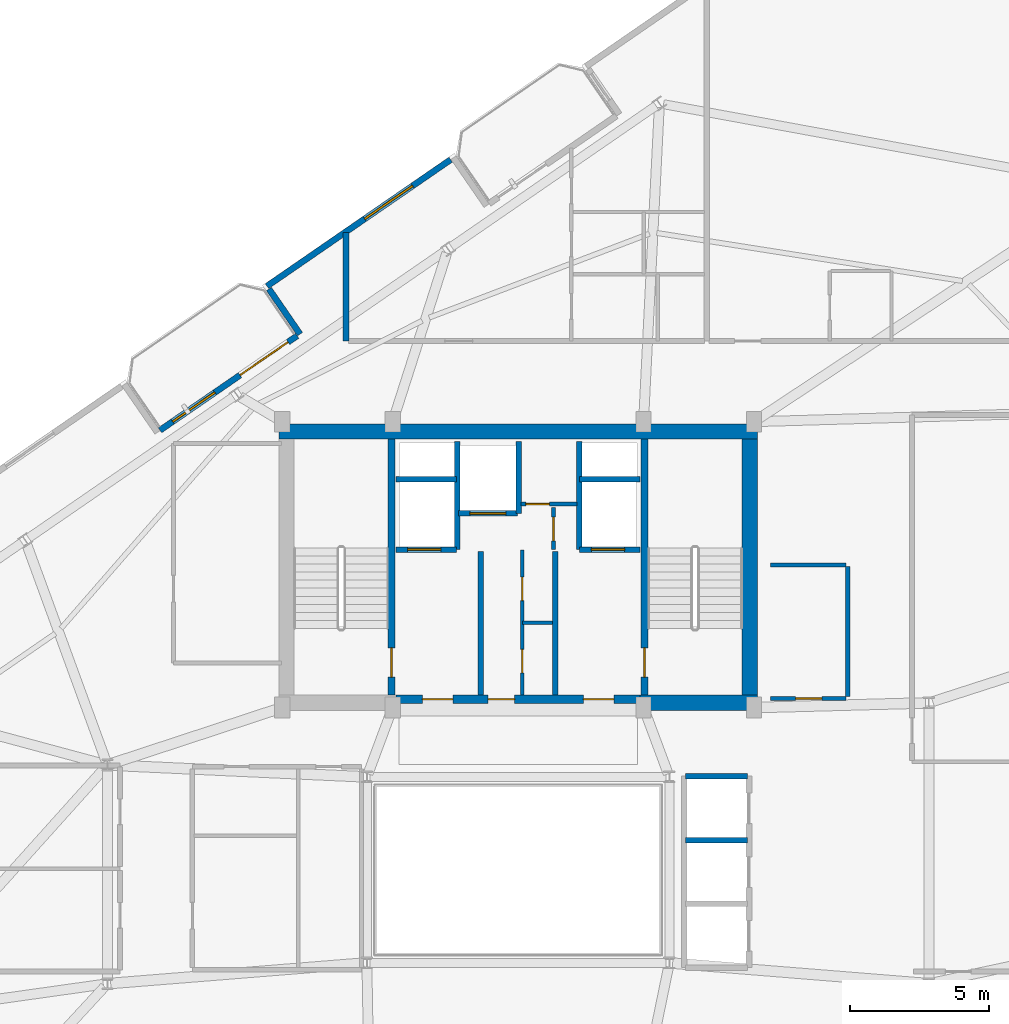
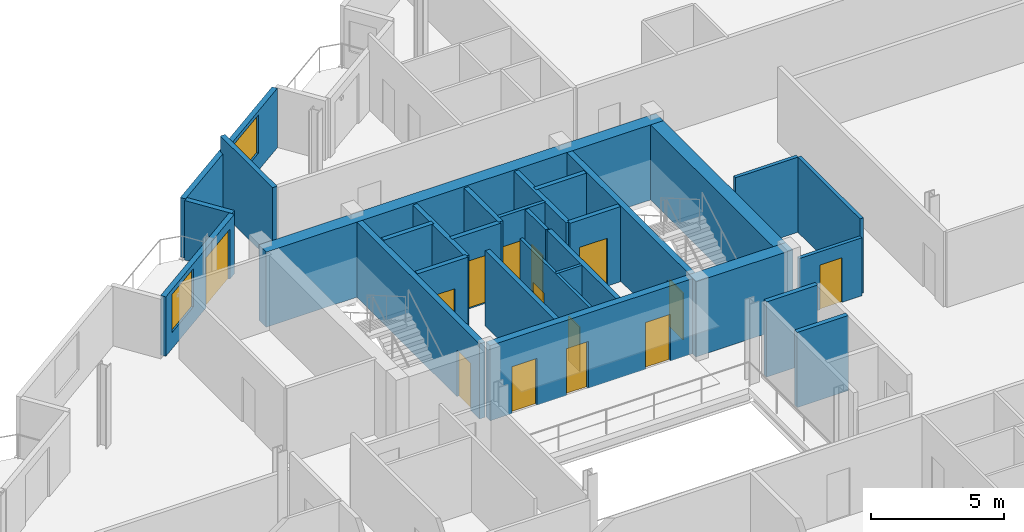
# One storey, part 16 of 21: 29 walls, 14 doors, 2 windows, 16 openings.
"""IFC4 building model written with IfcOpenShell, lengths in metres."""

import ifcopenshell
import ifcopenshell.guid

model = None  # the IFC model being written
_history = None  # IfcOwnerHistory: only IFC2X3 demands one
_inside = {}  # id of a spatial element -> (the spatial element, [elements in it])
_under = {}  # id of a project, library or spatial element -> (it, [spatial elements below it])
_declared = {}  # id of a project -> (the project, [libraries it declares])
_typed = {}  # id of a type object -> (the type object, [elements of that type])
_made_of = {}  # id of a material, layer set ... -> (it, [elements and type objects made of it])


def new_model(schema):
    """Start an empty IFC model of exactly this schema.

    Asked for "IFC4X3", IfcOpenShell would pick the latest addendum, in which some entities
    have other attributes; the version numbers below select the first issue.
    IFC2X3 requires an IfcOwnerHistory on every rooted entity: one is made here for all.
    """
    global model, _history
    if schema == "IFC4X3":
        model = ifcopenshell.file(schema_version=(4, 3, 0, 0))
    else:
        model = ifcopenshell.file(schema=schema)
    _inside.clear()
    _under.clear()
    _declared.clear()
    _typed.clear()
    _made_of.clear()
    _history = None
    if model.schema == "IFC2X3":
        org = make("IfcOrganization", Name="unknown")
        user = make(
            "IfcPersonAndOrganization",
            ThePerson=make("IfcPerson", FamilyName="unknown"),
            TheOrganization=org,
        )
        app = make(
            "IfcApplication",
            ApplicationDeveloper=org,
            Version="unknown",
            ApplicationFullName="unknown",
            ApplicationIdentifier="unknown",
        )
        _history = make(
            "IfcOwnerHistory",
            OwningUser=user,
            OwningApplication=app,
            ChangeAction="ADDED",
            CreationDate=0,
        )
    return model


def make(cls, **values):
    """One entity of the class cls with the attributes given. An attribute that is None is left unset."""
    return model.create_entity(
        cls, **{name: value for name, value in values.items() if value is not None}
    )


def rooted(cls, **values):
    """An entity with a GlobalId (a new one), such as an element, a storey or a relation."""
    return make(cls, GlobalId=ifcopenshell.guid.new(), OwnerHistory=_history, **values)


def si_unit(unit_type, name, prefix=None):
    """IfcSIUnit, for example si_unit("LENGTHUNIT", "METRE", prefix="MILLI")."""
    return make("IfcSIUnit", UnitType=unit_type, Prefix=prefix, Name=name)


def assignment(units):
    """IfcUnitAssignment: the units of a project."""
    return None if units is None else make("IfcUnitAssignment", Units=units)


def point(xyz):
    """IfcCartesianPoint."""
    return None if xyz is None else make("IfcCartesianPoint", Coordinates=xyz)


def direction(xyz):
    """IfcDirection."""
    return None if xyz is None else make("IfcDirection", DirectionRatios=xyz)


def frame(location, z_axis=None, x_axis=None):
    """IfcAxis2Placement3D, a coordinate frame: its origin and axes. An axis left out is left unset."""
    return make(
        "IfcAxis2Placement3D",
        Location=point(location),
        Axis=direction(z_axis),
        RefDirection=direction(x_axis),
    )


def frame_2d(location, x_axis=None):
    """IfcAxis2Placement2D, a coordinate frame in the plane: its origin and x axis."""
    return make(
        "IfcAxis2Placement2D", Location=point(location), RefDirection=direction(x_axis)
    )


def origin():
    """The frame at (0, 0, 0) with its axes left unset."""
    return frame((0.0, 0.0, 0.0))


def place(relative_to, where):
    """IfcLocalPlacement: puts the frame where relative to a parent placement (None: the world)."""
    return make(
        "IfcLocalPlacement", PlacementRelTo=relative_to, RelativePlacement=where
    )


def context(
    kind, dimensions, precision=None, world=None, true_north=None, identifier=None
):
    """IfcGeometricRepresentationContext, for example the 3D "Model" context."""
    return make(
        "IfcGeometricRepresentationContext",
        ContextIdentifier=identifier,
        ContextType=kind,
        CoordinateSpaceDimension=dimensions,
        Precision=precision,
        WorldCoordinateSystem=world,
        TrueNorth=true_north,
    )


def subcontext(parent, identifier, kind, view, scale=None):
    """IfcGeometricRepresentationSubContext, for example "Body" below "Model"."""
    return make(
        "IfcGeometricRepresentationSubContext",
        ContextIdentifier=identifier,
        ContextType=kind,
        ParentContext=parent,
        TargetScale=scale,
        TargetView=view,
    )


def project(units=None, contexts=None):
    """IfcProject with its units and contexts."""
    return rooted(
        "IfcProject",
        Name="project",
        RepresentationContexts=contexts,
        UnitsInContext=assignment(units),
    )


def spatial(cls, under=None, at=None, **own):
    """A site, building, storey or space (cls), placed at a placement, below another one or the project."""
    s = rooted(cls, ObjectPlacement=at, **own)
    if under is not None:
        _under.setdefault(under.id(), (under, []))[1].append(s)
    return s


def profile(cls, at=None, kind="AREA", **sizes):
    """A parametric profile (cls). Its sizes go by their IFC names, for example OverallWidth=200.0."""
    return make(cls, ProfileType=kind, Position=at, **sizes)


def rectangle(**sizes):
    """IfcRectangleProfileDef."""
    return profile("IfcRectangleProfileDef", **sizes)


def extrude(swept, where, along, depth):
    """IfcExtrudedAreaSolid: the profile swept, set in the frame where, extruded along a direction by depth."""
    return make(
        "IfcExtrudedAreaSolid",
        SweptArea=swept,
        Position=where,
        ExtrudedDirection=direction(along),
        Depth=depth,
    )


def shape(context_of_items, identifier, shape_type, items):
    """IfcShapeRepresentation: the items that make up one representation, for example the "Body"."""
    return make(
        "IfcShapeRepresentation",
        ContextOfItems=context_of_items,
        RepresentationIdentifier=identifier,
        RepresentationType=shape_type,
        Items=items,
    )


def material(Name=None, Category=None):
    """IfcMaterial."""
    return make("IfcMaterial", Name=Name, Category=Category)


def layer(
    of_material, thickness, ventilated=None, Name=None, Category=None, Priority=None
):
    """IfcMaterialLayer: one layer of a wall or slab, of a material (None: an air gap)."""
    return make(
        "IfcMaterialLayer",
        Material=of_material,
        LayerThickness=thickness,
        IsVentilated=ventilated,
        Name=Name,
        Category=Category,
        Priority=Priority,
    )


def layer_set(layers, Name=None):
    """IfcMaterialLayerSet."""
    return make("IfcMaterialLayerSet", MaterialLayers=layers, LayerSetName=Name)


def made_of(thing, what):
    """Note that an element or type object is made of a material, layer set ...; save() writes the relation."""
    if what is not None:
        _made_of.setdefault(what.id(), (what, []))[1].append(thing)
    return thing


def type_object(cls, material=None, **own):
    """A type object (cls), such as IfcWallType, which elements share."""
    return made_of(rooted(cls, **own), material)


def element(
    cls,
    number,
    at=None,
    inside=None,
    cuts=None,
    type_object=None,
    material=None,
    context=None,
    identifier="Body",
    shape_type=None,
    held_by="IfcProductDefinitionShape",
    body=None,
    shapes=None,
    **own,
):
    """One element of the class cls, such as IfcWall. Its Tag is "e" and its number.

    at: its placement. inside: the storey or other place that contains it. cuts: it is an
    opening in that element (IfcRelVoidsElement). A single representation is given by context,
    identifier, shape_type and body (its items); several are given by shapes. held_by: the class
    of the entity that holds the representations. save() writes the other relations.
    """
    e = rooted(cls, Tag="e%d" % number, ObjectPlacement=at, **own)
    if body is not None:
        shapes = [shape(context, identifier, shape_type, body)]
    if shapes is not None:
        e.Representation = make(held_by, Representations=shapes)
    if inside is not None:
        _inside.setdefault(inside.id(), (inside, []))[1].append(e)
    if cuts is not None:
        rooted(
            "IfcRelVoidsElement", RelatingBuildingElement=cuts, RelatedOpeningElement=e
        )
    if type_object is not None:
        _typed.setdefault(type_object.id(), (type_object, []))[1].append(e)
    return made_of(e, material)


def fill(opening, filler):
    """IfcRelFillsElement: the door or window that sits in an opening."""
    return rooted(
        "IfcRelFillsElement",
        RelatingOpeningElement=opening,
        RelatedBuildingElement=filler,
    )


def aggregate(whole, parts):
    """IfcRelAggregates: a whole, such as a stair, and the parts it consists of."""
    return rooted("IfcRelAggregates", RelatingObject=whole, RelatedObjects=parts)


def save(model, path):
    """Write the relations noted so far, then the file.

    IfcRelAggregates (storeys below a building ...), IfcRelContainedInSpatialStructure (elements
    in a storey), IfcRelDefinesByType, IfcRelAssociatesMaterial and IfcRelDeclares: one each for
    every whole, place, type object, material and project.
    """
    for whole, parts in _under.values():
        aggregate(whole, parts)
    for where, things in _inside.values():
        rooted(
            "IfcRelContainedInSpatialStructure",
            RelatedElements=things,
            RelatingStructure=where,
        )
    for kind, things in _typed.values():
        rooted("IfcRelDefinesByType", RelatedObjects=things, RelatingType=kind)
    for what, things in _made_of.values():
        rooted("IfcRelAssociatesMaterial", RelatedObjects=things, RelatingMaterial=what)
    for by, libraries in _declared.values():
        rooted("IfcRelDeclares", RelatingContext=by, RelatedDefinitions=libraries)
    model.write(path)


model = new_model("IFC4")

# Units and contexts
model_context = context("Model", 3, precision=1e-05, world=origin(), true_north=direction((0.0, 1.0)))
body_context = subcontext(model_context, "Body", "Model", "MODEL_VIEW")
ifc_project = project(units=[si_unit("LENGTHUNIT", "METRE"), si_unit("AREAUNIT", "SQUARE_METRE"), si_unit("VOLUMEUNIT", "CUBIC_METRE"), si_unit("PLANEANGLEUNIT", "RADIAN"), si_unit("MASSUNIT", "GRAM", prefix="KILO")], contexts=[model_context])

# Site, building, storey
site_placement = place(None, origin())
site = spatial("IfcSite", under=ifc_project, at=site_placement, CompositionType="ELEMENT")
building_placement = place(site_placement, origin())
building = spatial("IfcBuilding", under=site, at=building_placement, Name="Varnelok Gate Tower", CompositionType="ELEMENT")
storey_placement = place(building_placement, frame((0.0, 0.0, 276.699951171875)))
storey = spatial("IfcBuildingStorey", under=building, at=storey_placement, Name="L71", CompositionType="ELEMENT", Elevation=276.699951171875)

# Wall, openings, door, window
ifc_material_1 = material(Name="Concrete C45/55", Category="concrete")
ifc_layer_1 = layer(ifc_material_1, 0.219970703125)
ifc_layer_set_1 = layer_set([ifc_layer_1], Name="Concrete C45/55")
wall_type_1 = type_object("IfcWallType", Name="EW-BALC-220", PredefinedType="SOLIDWALL", material=ifc_layer_set_1)
wall_1_placement = place(storey_placement, frame((26.29736328125, 38.742919921875, 0.0), z_axis=(0.0, 0.0, 1.0), x_axis=(0.823534636215, 0.567265989598, 0.0)))
wall_1 = element("IfcWall", 1, at=wall_1_placement, inside=storey, type_object=wall_type_1, Name="L71 North Terrace Envelope Wall 5", PredefinedType="SOLIDWALL", context=body_context, shape_type="SweptSolid", body=[
    extrude(rectangle(XDim=6.0, YDim=0.219970703125, at=frame_2d((3.0, 0.0))), origin(), (0.0, 0.0, 1.0), 2.72998046875),
])
opening_1_placement = place(wall_1_placement, frame((3.5, 0.0, 0.0)))
opening_1 = element("IfcOpeningElement", 2, at=opening_1_placement, cuts=wall_1, Name="Opening BD-2", PredefinedType="OPENING", context=body_context, shape_type="SweptSolid", body=[
    extrude(rectangle(XDim=2.10009765625, YDim=2.300048828125, at=frame_2d((1.050048828125, 1.14990234375))), frame((0.0, 0.119873046875, 0.0), z_axis=(0.0, -1.0, 0.0), x_axis=(1.0, 0.0, 0.0)), (0.0, 0.0, 1.0), 0.239990234375),
])
opening_2_placement = place(wall_1_placement, frame((0.550048828125, 0.0, 0.75)))
opening_2 = element("IfcOpeningElement", 3, at=opening_2_placement, cuts=wall_1, Name="Opening WN5", PredefinedType="OPENING", context=body_context, shape_type="SweptSolid", body=[
    extrude(rectangle(XDim=1.85009765625, YDim=1.75, at=frame_2d((0.925048828125, 0.875))), frame((0.0, 0.119873046875, 0.0), z_axis=(0.0, -1.0, 0.0), x_axis=(1.0, 0.0, 0.0)), (0.0, 0.0, 1.0), 0.239990234375),
])
ifc_material_2 = material(Name="Anodized Aluminum Alloy 6063-T6", Category="aluminium")
door_type_1 = type_object("IfcDoorType", Name="DR-EXT-SLID2100", OperationType="SLIDING_TO_LEFT", PredefinedType="DOOR", material=ifc_material_2)
door_1_placement = place(opening_1_placement, origin())
door_1 = element("IfcDoor", 4, at=door_1_placement, inside=storey, type_object=door_type_1, Name="L71 North Balcony Glazed Door 5", OperationType="SLIDING_TO_LEFT", OverallHeight=2.300048828125, OverallWidth=2.10009765625, PredefinedType="DOOR", context=body_context, shape_type="SweptSolid", body=[
    extrude(rectangle(XDim=2.10009765625, YDim=2.300048828125, at=frame_2d((1.050048828125, 1.14990234375))), frame((0.0, 0.02490234375, 0.0), z_axis=(0.0, -1.0, 0.0), x_axis=(1.0, 0.0, 0.0)), (0.0, 0.0, 1.0), 0.050048828125),
])
fill(opening_1, door_1)
ifc_material_3 = material(Name="Low-E Laminated Double Glazing IGU", Category="glass")
window_type_1 = type_object("IfcWindowType", Name="WN-RES-1850", PartitioningType="SINGLE_PANEL", PredefinedType="WINDOW", material=ifc_material_3)
window_1_placement = place(opening_2_placement, origin())
window_1 = element("IfcWindow", 5, at=window_1_placement, inside=storey, type_object=window_type_1, Name="L71 North Vision Window 5.1", OverallHeight=1.75, OverallWidth=1.85009765625, PartitioningType="SINGLE_PANEL", PredefinedType="WINDOW", context=body_context, shape_type="SweptSolid", body=[
    extrude(rectangle(XDim=1.85009765625, YDim=1.75, at=frame_2d((0.925048828125, 0.875))), frame((0.0, 0.030029296875, 0.0), z_axis=(0.0, -1.0, 0.0), x_axis=(1.0, 0.0, 0.0)), (0.0, 0.0, 1.0), 0.06005859375),
])
fill(opening_2, window_1)

# Wall, opening, window
wall_2_placement = place(storey_placement, frame((36.768798828125, 48.493896484375, 0.0), z_axis=(0.0, 0.0, 1.0), x_axis=(-0.823521165086, -0.56728554596, 0.0)))
wall_2 = element("IfcWall", 6, at=wall_2_placement, inside=storey, type_object=wall_type_1, Name="L71 Perimeter Facade Closure Wall 32", PredefinedType="SOLIDWALL", context=body_context, shape_type="SweptSolid", body=[
    extrude(rectangle(XDim=8.034912109375, YDim=0.219970703125, at=frame_2d((4.017578125, 0.0))), origin(), (0.0, 0.0, 1.0), 2.72998046875),
])
opening_3_placement = place(wall_2_placement, frame((1.661865234375, 0.0, 0.800048828125)))
opening_3 = element("IfcOpeningElement", 7, at=opening_3_placement, cuts=wall_2, Name="Opening WN4", PredefinedType="OPENING", context=body_context, shape_type="SweptSolid", body=[
    extrude(rectangle(XDim=2.10009765625, YDim=1.75, at=frame_2d((1.050048828125, 0.875))), frame((0.0, 0.119873046875, 0.0), z_axis=(0.0, -1.0, 0.0), x_axis=(1.0, 0.0, 0.0)), (0.0, 0.0, 1.0), 0.239990234375),
])
window_type_2 = type_object("IfcWindowType", Name="WN-SUI-2100", PartitioningType="SINGLE_PANEL", PredefinedType="WINDOW", material=ifc_material_3)
window_2_placement = place(opening_3_placement, origin())
window_2 = element("IfcWindow", 8, at=window_2_placement, inside=storey, type_object=window_type_2, Name="L71 Perimeter Vision Window 32", OverallHeight=1.75, OverallWidth=2.10009765625, PartitioningType="SINGLE_PANEL", PredefinedType="WINDOW", context=body_context, shape_type="SweptSolid", body=[
    extrude(rectangle(XDim=2.10009765625, YDim=1.75, at=frame_2d((1.050048828125, 0.875))), frame((0.0, 0.030029296875, 0.0), z_axis=(0.0, -1.0, 0.0), x_axis=(1.0, 0.0, 0.0)), (0.0, 0.0, 1.0), 0.06005859375),
])
fill(opening_3, window_2)

# Walls
wall_3_placement = place(storey_placement, frame((30.22265625, 43.8330078125, 0.0), z_axis=(0.0, 0.0, 1.0), x_axis=(0.567215821234, -0.823569190865, 0.0)))
element("IfcWall", 9, at=wall_3_placement, inside=storey, type_object=wall_type_1, Name="L71 Perimeter Facade Closure Wall 33", PredefinedType="SOLIDWALL", context=body_context, shape_type="SweptSolid", body=[
    extrude(rectangle(XDim=1.97509765625, YDim=0.219970703125, at=frame_2d((0.987548828125, 0.0))), origin(), (0.0, 0.0, 1.0), 2.72998046875),
])
ifc_material_4 = material(Name="Gypsum Plasterboard Acoustic Partition", Category="gypsum")
ifc_layer_2 = layer(ifc_material_4, 0.125)
ifc_layer_set_2 = layer_set([ifc_layer_2], Name="Gypsum Plasterboard Acoustic Partition")
wall_type_2 = type_object("IfcWallType", Name="PW-PART-125", PredefinedType="PARTITIONING", material=ifc_layer_set_2)
wall_4_placement = place(storey_placement, frame((39.35009765625, 31.800048828125, 0.0), z_axis=(0.0, 0.0, 1.0), x_axis=(1.0, 0.0, 0.0)))
element("IfcWall", 10, at=wall_4_placement, inside=storey, type_object=wall_type_2, Name="Interior Partition", PredefinedType="PARTITIONING", context=body_context, shape_type="SweptSolid", body=[
    extrude(rectangle(XDim=1.08984375, YDim=0.125, at=frame_2d((0.544921875, 0.0))), origin(), (0.0, 0.0, 1.0), 3.449951171875),
])

# Wall, openings, doors
wall_5_placement = place(storey_placement, frame((39.35009765625, 29.199951171875, 0.0), z_axis=(0.0, 0.0, 1.0), x_axis=(0.0, 1.0, 0.0)))
wall_5 = element("IfcWall", 11, at=wall_5_placement, inside=storey, type_object=wall_type_2, Name="Interior Partition", PredefinedType="PARTITIONING", context=body_context, shape_type="SweptSolid", body=[
    extrude(rectangle(XDim=5.219970703125, YDim=0.125, at=frame_2d((2.60986328125, 0.0))), origin(), (0.0, 0.0, 1.0), 3.449951171875),
])
opening_4_placement = place(wall_5_placement, frame((0.800048828125, 0.0, 0.0)))
opening_4 = element("IfcOpeningElement", 12, at=opening_4_placement, cuts=wall_5, Name="Opening D-RS", PredefinedType="OPENING", context=body_context, shape_type="SweptSolid", body=[
    extrude(rectangle(XDim=0.85009765625, YDim=2.050048828125, at=frame_2d((0.425048828125, 1.02490234375))), frame((0.0, 0.072509765625, 0.0), z_axis=(0.0, -1.0, 0.0), x_axis=(1.0, 0.0, 0.0)), (0.0, 0.0, 1.0), 0.14501953125),
])
opening_5_placement = place(wall_5_placement, frame((3.39990234375, 0.0, 0.0)))
opening_5 = element("IfcOpeningElement", 13, at=opening_5_placement, cuts=wall_5, Name="Opening D-RS", PredefinedType="OPENING", context=body_context, shape_type="SweptSolid", body=[
    extrude(rectangle(XDim=0.85009765625, YDim=2.050048828125, at=frame_2d((0.425048828125, 1.02490234375))), frame((0.0, 0.072509765625, 0.0), z_axis=(0.0, -1.0, 0.0), x_axis=(1.0, 0.0, 0.0)), (0.0, 0.0, 1.0), 0.14501953125),
])
ifc_material_5 = material(Name="Galvanized Steel Grade S350GD", Category="steel")
door_type_2 = type_object("IfcDoorType", Name="DR-RISER-850", OperationType="NOTDEFINED", PredefinedType="DOOR", material=ifc_material_5)
door_2_placement = place(opening_4_placement, origin())
door_2 = element("IfcDoor", 14, at=door_2_placement, inside=storey, type_object=door_type_2, Name="L71 Housekeeping Linen Door", OperationType="SINGLE_SWING_RIGHT", OverallHeight=2.050048828125, OverallWidth=0.85009765625, PredefinedType="DOOR", context=body_context, shape_type="SweptSolid", body=[
    extrude(rectangle(XDim=0.85009765625, YDim=2.050048828125, at=frame_2d((0.425048828125, 1.02490234375))), frame((0.0, 0.02490234375, 0.0), z_axis=(0.0, -1.0, 0.0), x_axis=(1.0, 0.0, 0.0)), (0.0, 0.0, 1.0), 0.050048828125),
])
fill(opening_4, door_2)
door_3_placement = place(opening_5_placement, origin())
door_3 = element("IfcDoor", 15, at=door_3_placement, inside=storey, type_object=door_type_2, Name="L71 Core Supply Door", OperationType="SINGLE_SWING_LEFT", OverallHeight=2.050048828125, OverallWidth=0.85009765625, PredefinedType="DOOR", context=body_context, shape_type="SweptSolid", body=[
    extrude(rectangle(XDim=0.85009765625, YDim=2.050048828125, at=frame_2d((0.425048828125, 1.02490234375))), frame((0.0, 0.02490234375, 0.0), z_axis=(0.0, -1.0, 0.0), x_axis=(1.0, 0.0, 0.0)), (0.0, 0.0, 1.0), 0.050048828125),
])
fill(opening_5, door_3)

# Wall, opening, door
ifc_layer_3 = layer(ifc_material_4, 0.14990234375)
ifc_layer_set_3 = layer_set([ifc_layer_3], Name="Gypsum Plasterboard Acoustic Partition")
wall_type_3 = type_object("IfcWallType", Name="PW-PART-150", PredefinedType="PARTITIONING", material=ifc_layer_set_3)
wall_6_placement = place(storey_placement, frame((39.300048828125, 36.080078125, 0.0), z_axis=(0.0, 0.0, 1.0), x_axis=(1.0, 0.0, 0.0)))
wall_6 = element("IfcWall", 16, at=wall_6_placement, inside=storey, type_object=wall_type_3, Name="L71 Electrical Closet South Wall", PredefinedType="PARTITIONING", context=body_context, shape_type="SweptSolid", body=[
    extrude(rectangle(XDim=2.02001953125, YDim=0.14990234375, at=frame_2d((1.010009765625, 0.0))), origin(), (0.0, 0.0, 1.0), 3.449951171875),
])
opening_6_placement = place(wall_6_placement, frame((0.179931640625, 0.0, 0.0)))
opening_6 = element("IfcOpeningElement", 17, at=opening_6_placement, cuts=wall_6, Name="Opening D-RS", PredefinedType="OPENING", context=body_context, shape_type="SweptSolid", body=[
    extrude(rectangle(XDim=0.85009765625, YDim=2.050048828125, at=frame_2d((0.425048828125, 1.02490234375))), frame((0.0, 0.0849609375, 0.0), z_axis=(0.0, -1.0, 0.0), x_axis=(1.0, 0.0, 0.0)), (0.0, 0.0, 1.0), 0.169921875),
])
door_4_placement = place(opening_6_placement, origin())
door_4 = element("IfcDoor", 18, at=door_4_placement, inside=storey, type_object=door_type_2, Name="L71 Electrical Closet Door", OperationType="SINGLE_SWING_RIGHT", OverallHeight=2.050048828125, OverallWidth=0.85009765625, PredefinedType="DOOR", context=body_context, shape_type="SweptSolid", body=[
    extrude(rectangle(XDim=0.85009765625, YDim=2.050048828125, at=frame_2d((0.425048828125, 1.02490234375))), frame((0.0, 0.02490234375, 0.0), z_axis=(0.0, -1.0, 0.0), x_axis=(1.0, 0.0, 0.0)), (0.0, 0.0, 1.0), 0.050048828125),
])
fill(opening_6, door_4)

wall_7_placement = place(storey_placement, frame((40.47998046875, 34.43994140625, 0.0), z_axis=(0.0, 0.0, 1.0), x_axis=(0.0, 1.0, 0.0)))
wall_7 = element("IfcWall", 19, at=wall_7_placement, inside=storey, type_object=wall_type_3, Name="L71 Telecoms Closet West Wall", PredefinedType="PARTITIONING", context=body_context, shape_type="SweptSolid", body=[
    extrude(rectangle(XDim=1.52001953125, YDim=0.14990234375, at=frame_2d((0.760009765625, 0.0))), origin(), (0.0, 0.0, 1.0), 3.449951171875),
])
opening_7_placement = place(wall_7_placement, frame((0.320068359375, 0.0, 0.0)))
opening_7 = element("IfcOpeningElement", 20, at=opening_7_placement, cuts=wall_7, Name="Opening D-RS", PredefinedType="OPENING", context=body_context, shape_type="SweptSolid", body=[
    extrude(rectangle(XDim=0.85009765625, YDim=2.050048828125, at=frame_2d((0.425048828125, 1.02490234375))), frame((0.0, 0.0849609375, 0.0), z_axis=(0.0, -1.0, 0.0), x_axis=(1.0, 0.0, 0.0)), (0.0, 0.0, 1.0), 0.169921875),
])
door_5_placement = place(opening_7_placement, origin())
door_5 = element("IfcDoor", 21, at=door_5_placement, inside=storey, type_object=door_type_2, Name="L71 Telecoms Closet Door", OperationType="SINGLE_SWING_LEFT", OverallHeight=2.050048828125, OverallWidth=0.85009765625, PredefinedType="DOOR", context=body_context, shape_type="SweptSolid", body=[
    extrude(rectangle(XDim=0.85009765625, YDim=2.050048828125, at=frame_2d((0.425048828125, 1.02490234375))), frame((0.0, 0.02490234375, 0.0), z_axis=(0.0, -1.0, 0.0), x_axis=(1.0, 0.0, 0.0)), (0.0, 0.0, 1.0), 0.050048828125),
])
fill(opening_7, door_5)

wall_8_placement = place(storey_placement, frame((48.300048828125, 29.080078125, 0.0), z_axis=(0.0, 0.0, 1.0), x_axis=(1.0, 0.0, 0.0)))
wall_8 = element("IfcWall", 22, at=wall_8_placement, inside=storey, type_object=wall_type_3, Name="Interior Partition", PredefinedType="PARTITIONING", context=body_context, shape_type="SweptSolid", body=[
    extrude(rectangle(XDim=2.719970703125, YDim=0.14990234375, at=frame_2d((1.35986328125, 0.0))), origin(), (0.0, 0.0, 1.0), 2.662109375),
])
opening_8_placement = place(wall_8_placement, frame((0.89990234375, 0.0, 0.0)))
opening_8 = element("IfcOpeningElement", 23, at=opening_8_placement, cuts=wall_8, Name="Opening D-I2", PredefinedType="OPENING", context=body_context, shape_type="SweptSolid", body=[
    extrude(rectangle(XDim=0.949951171875, YDim=2.050048828125, at=frame_2d((0.47509765625, 1.02490234375))), frame((0.0, 0.0849609375, 0.0), z_axis=(0.0, -1.0, 0.0), x_axis=(1.0, 0.0, 0.0)), (0.0, 0.0, 1.0), 0.169921875),
])
ifc_material_6 = material(Name="Engineered Hardwood Timber", Category="wood")
door_type_3 = type_object("IfcDoorType", Name="DR-INT-950", OperationType="NOTDEFINED", PredefinedType="DOOR", material=ifc_material_6)
door_6_placement = place(opening_8_placement, origin())
door_6 = element("IfcDoor", 24, at=door_6_placement, inside=storey, type_object=door_type_3, Name="L71 Reclaimed Trunk Store Door", OperationType="SINGLE_SWING_LEFT", OverallHeight=2.050048828125, OverallWidth=0.949951171875, PredefinedType="DOOR", context=body_context, shape_type="SweptSolid", body=[
    extrude(rectangle(XDim=0.949951171875, YDim=2.050048828125, at=frame_2d((0.47509765625, 1.02490234375))), frame((0.0, 0.02490234375, 0.0), z_axis=(0.0, -1.0, 0.0), x_axis=(1.0, 0.0, 0.0)), (0.0, 0.0, 1.0), 0.050048828125),
])
fill(opening_8, door_6)

# Walls
wall_9_placement = place(storey_placement, frame((48.300048828125, 33.889892578125, 0.0), z_axis=(0.0, 0.0, 1.0), x_axis=(1.0, 0.0, 0.0)))
element("IfcWall", 25, at=wall_9_placement, inside=storey, type_object=wall_type_3, Name="Interior Partition", PredefinedType="PARTITIONING", context=body_context, shape_type="SweptSolid", body=[
    extrude(rectangle(XDim=2.719970703125, YDim=0.14990234375, at=frame_2d((1.35986328125, 0.0))), origin(), (0.0, 0.0, 1.0), 3.449951171875),
])
wall_10_placement = place(storey_placement, frame((51.080078125, 29.139892578125, 0.0), z_axis=(0.0, 0.0, 1.0), x_axis=(0.0, 1.0, 0.0)))
element("IfcWall", 26, at=wall_10_placement, inside=storey, type_object=wall_type_3, Name="Interior Partition", PredefinedType="PARTITIONING", context=body_context, shape_type="SweptSolid", body=[
    extrude(rectangle(XDim=4.690185546875, YDim=0.14990234375, at=frame_2d((2.34521484375, 0.0))), origin(), (0.0, 0.0, 1.0), 3.449951171875),
])
ifc_layer_4 = layer(ifc_material_4, 0.205078125)
ifc_layer_set_4 = layer_set([ifc_layer_4], Name="Gypsum Plasterboard Acoustic Partition")
wall_type_4 = type_object("IfcWallType", Name="PW-PARTY-200", PredefinedType="PARTITIONING", material=ifc_layer_set_4)
wall_11_placement = place(storey_placement, frame((33.0, 41.9599609375, 0.0), z_axis=(0.0, 0.0, 1.0), x_axis=(0.0, 1.0, 0.0)))
element("IfcWall", 27, at=wall_11_placement, inside=storey, type_object=wall_type_4, Name="L71 North Party Wall 1", PredefinedType="PARTITIONING", context=body_context, shape_type="SweptSolid", body=[
    extrude(rectangle(XDim=3.91357421875, YDim=0.205078125, at=frame_2d((1.956787109375, 0.0))), origin(), (0.0, 0.0, 1.0), 3.449951171875),
])
ifc_material_7 = material(Name="Concrete C35/45", Category="concrete")
ifc_layer_5 = layer(ifc_material_7, 0.199951171875)
ifc_layer_set_5 = layer_set([ifc_layer_5], Name="Concrete C35/45")
wall_type_5 = type_object("IfcWallType", Name="PW-SHAFT-200", PredefinedType="PARTITIONING", material=ifc_layer_set_5)
for number, where, z_axis, x_axis, name in (
    (28, (37.860107421875, 29.199951171875, 0.0), (0.0, 0.0, 1.0), (0.0, 1.0, 0.0), "L71 West FF Lobby Rated Wall"),
    (29, (40.5400390625, 29.199951171875, 0.0), (0.0, 0.0, 1.0), (0.0, 1.0, 0.0), "L71 East FF Lobby Rated Wall"),
):
    element("IfcWall", number, at=place(storey_placement, frame(where, z_axis=z_axis, x_axis=x_axis)), inside=storey, type_object=wall_type_5, Name=name, PredefinedType="PARTITIONING", context=body_context, shape_type="SweptSolid", body=[
        extrude(rectangle(XDim=5.179931640625, YDim=0.199951171875, at=frame_2d((2.58984375, 0.0))), origin(), (0.0, 0.0, 1.0), 3.449951171875),
    ])

# Wall, opening, door
wall_12_placement = place(storey_placement, frame((34.800048828125, 34.43994140625, 0.0), z_axis=(0.0, 0.0, 1.0), x_axis=(1.0, 0.0, 0.0)))
wall_12 = element("IfcWall", 30, at=wall_12_placement, inside=storey, type_object=wall_type_5, Name="L71 FF1 Shaft Front Wall", PredefinedType="PARTITIONING", context=body_context, shape_type="SweptSolid", body=[
    extrude(rectangle(XDim=2.179931640625, YDim=0.199951171875, at=frame_2d((1.08984375, 0.0))), origin(), (0.0, 0.0, 1.0), 3.449951171875),
])
opening_9_placement = place(wall_12_placement, frame((0.419921875, 0.0, 0.0)))
opening_9 = element("IfcOpeningElement", 31, at=opening_9_placement, cuts=wall_12, Name="Opening LD-FF1", PredefinedType="OPENING", context=body_context, shape_type="SweptSolid", body=[
    extrude(rectangle(XDim=1.199951171875, YDim=2.199951171875, at=frame_2d((0.60009765625, 1.10009765625))), frame((0.0, 0.10986328125, 0.0), z_axis=(0.0, -1.0, 0.0), x_axis=(1.0, 0.0, 0.0)), (0.0, 0.0, 1.0), 0.219970703125),
])
door_type_4 = type_object("IfcDoorType", Name="DR-LIFT-FF1200", OperationType="SLIDING_TO_LEFT", PredefinedType="DOOR", material=ifc_material_5)
door_7_placement = place(opening_9_placement, origin())
door_7 = element("IfcDoor", 32, at=door_7_placement, inside=storey, type_object=door_type_4, Name="L71 Firefighting Lift Landing Door LD-FF1", OperationType="SLIDING_TO_LEFT", OverallHeight=2.199951171875, OverallWidth=1.199951171875, PredefinedType="DOOR", context=body_context, shape_type="SweptSolid", body=[
    extrude(rectangle(XDim=1.199951171875, YDim=2.199951171875, at=frame_2d((0.60009765625, 1.10009765625))), frame((0.0, 0.02490234375, 0.0), z_axis=(0.0, -1.0, 0.0), x_axis=(1.0, 0.0, 0.0)), (0.0, 0.0, 1.0), 0.050048828125),
])
fill(opening_9, door_7)

# Walls
wall_13_placement = place(storey_placement, frame((34.800048828125, 36.97998046875, 0.0), z_axis=(0.0, 0.0, 1.0), x_axis=(1.0, 0.0, 0.0)))
element("IfcWall", 33, at=wall_13_placement, inside=storey, type_object=wall_type_5, Name="L71 FF1 Shaft North Wall", PredefinedType="PARTITIONING", context=body_context, shape_type="SweptSolid", body=[
    extrude(rectangle(XDim=2.179931640625, YDim=0.199951171875, at=frame_2d((1.08984375, 0.0))), origin(), (0.0, 0.0, 1.0), 3.449951171875),
])
wall_14_placement = place(storey_placement, frame((37.0, 34.43994140625, 0.0), z_axis=(0.0, 0.0, 1.0), x_axis=(0.0, 1.0, 0.0)))
element("IfcWall", 34, at=wall_14_placement, inside=storey, type_object=wall_type_5, Name="L71 FF1 Shaft Side Wall", PredefinedType="PARTITIONING", context=body_context, shape_type="SweptSolid", body=[
    extrude(rectangle(XDim=3.900146484375, YDim=0.199951171875, at=frame_2d((1.9501953125, 0.0))), origin(), (0.0, 0.0, 1.0), 3.449951171875),
])

# Wall, opening, door
wall_15_placement = place(storey_placement, frame((41.419921875, 34.43994140625, 0.0), z_axis=(0.0, 0.0, 1.0), x_axis=(1.0, 0.0, 0.0)))
wall_15 = element("IfcWall", 35, at=wall_15_placement, inside=storey, type_object=wall_type_5, Name="L71 FF2 Shaft Front Wall", PredefinedType="PARTITIONING", context=body_context, shape_type="SweptSolid", body=[
    extrude(rectangle(XDim=2.18017578125, YDim=0.199951171875, at=frame_2d((1.090087890625, 0.0))), origin(), (0.0, 0.0, 1.0), 3.449951171875),
])
opening_10_placement = place(wall_15_placement, frame((0.419921875, 0.0, 0.0)))
opening_10 = element("IfcOpeningElement", 36, at=opening_10_placement, cuts=wall_15, Name="Opening LD-FF2", PredefinedType="OPENING", context=body_context, shape_type="SweptSolid", body=[
    extrude(rectangle(XDim=1.199951171875, YDim=2.199951171875, at=frame_2d((0.60009765625, 1.10009765625))), frame((0.0, 0.10986328125, 0.0), z_axis=(0.0, -1.0, 0.0), x_axis=(1.0, 0.0, 0.0)), (0.0, 0.0, 1.0), 0.219970703125),
])
door_8_placement = place(opening_10_placement, origin())
door_8 = element("IfcDoor", 37, at=door_8_placement, inside=storey, type_object=door_type_4, Name="L71 Firefighting Lift Landing Door LD-FF2", OperationType="SLIDING_TO_LEFT", OverallHeight=2.199951171875, OverallWidth=1.199951171875, PredefinedType="DOOR", context=body_context, shape_type="SweptSolid", body=[
    extrude(rectangle(XDim=1.199951171875, YDim=2.199951171875, at=frame_2d((0.60009765625, 1.10009765625))), frame((0.0, 0.02490234375, 0.0), z_axis=(0.0, -1.0, 0.0), x_axis=(1.0, 0.0, 0.0)), (0.0, 0.0, 1.0), 0.050048828125),
])
fill(opening_10, door_8)

# Walls
wall_16_placement = place(storey_placement, frame((41.419921875, 36.97998046875, 0.0), z_axis=(0.0, 0.0, 1.0), x_axis=(1.0, 0.0, 0.0)))
element("IfcWall", 38, at=wall_16_placement, inside=storey, type_object=wall_type_5, Name="L71 FF2 Shaft North Wall", PredefinedType="PARTITIONING", context=body_context, shape_type="SweptSolid", body=[
    extrude(rectangle(XDim=2.18017578125, YDim=0.199951171875, at=frame_2d((1.090087890625, 0.0))), origin(), (0.0, 0.0, 1.0), 3.449951171875),
])
wall_17_placement = place(storey_placement, frame((41.39990234375, 34.43994140625, 0.0), z_axis=(0.0, 0.0, 1.0), x_axis=(0.0, 1.0, 0.0)))
element("IfcWall", 39, at=wall_17_placement, inside=storey, type_object=wall_type_5, Name="L71 FF2 Shaft Side Wall", PredefinedType="PARTITIONING", context=body_context, shape_type="SweptSolid", body=[
    extrude(rectangle(XDim=3.900146484375, YDim=0.199951171875, at=frame_2d((1.9501953125, 0.0))), origin(), (0.0, 0.0, 1.0), 3.449951171875),
])

# Wall, opening, door
wall_18_placement = place(storey_placement, frame((37.06005859375, 35.75, 0.0), z_axis=(0.0, 0.0, 1.0), x_axis=(1.0, 0.0, 0.0)))
wall_18 = element("IfcWall", 40, at=wall_18_placement, inside=storey, type_object=wall_type_5, Name="L71 SV1 Shaft Front Wall", PredefinedType="PARTITIONING", context=body_context, shape_type="SweptSolid", body=[
    extrude(rectangle(XDim=2.119873046875, YDim=0.199951171875, at=frame_2d((1.06005859375, 0.0))), origin(), (0.0, 0.0, 1.0), 3.449951171875),
])
opening_11_placement = place(wall_18_placement, frame((0.39990234375, 0.0, 0.0)))
opening_11 = element("IfcOpeningElement", 41, at=opening_11_placement, cuts=wall_18, Name="Opening LD-SV1", PredefinedType="OPENING", context=body_context, shape_type="SweptSolid", body=[
    extrude(rectangle(XDim=1.300048828125, YDim=2.199951171875, at=frame_2d((0.64990234375, 1.10009765625))), frame((0.0, 0.10986328125, 0.0), z_axis=(0.0, -1.0, 0.0), x_axis=(1.0, 0.0, 0.0)), (0.0, 0.0, 1.0), 0.219970703125),
])
door_type_5 = type_object("IfcDoorType", Name="DR-LIFT-SV1300", OperationType="SLIDING_TO_LEFT", PredefinedType="DOOR", material=ifc_material_5)
door_9_placement = place(opening_11_placement, origin())
door_9 = element("IfcDoor", 42, at=door_9_placement, inside=storey, type_object=door_type_5, Name="L71 Service Lift Landing Door LD-SV1", OperationType="SLIDING_TO_LEFT", OverallHeight=2.199951171875, OverallWidth=1.300048828125, PredefinedType="DOOR", context=body_context, shape_type="SweptSolid", body=[
    extrude(rectangle(XDim=1.300048828125, YDim=2.199951171875, at=frame_2d((0.64990234375, 1.10009765625))), frame((0.0, 0.02490234375, 0.0), z_axis=(0.0, -1.0, 0.0), x_axis=(1.0, 0.0, 0.0)), (0.0, 0.0, 1.0), 0.050048828125),
])
fill(opening_11, door_9)

# Walls
wall_19_placement = place(storey_placement, frame((39.219970703125, 35.75, 0.0), z_axis=(0.0, 0.0, 1.0), x_axis=(0.0, 1.0, 0.0)))
element("IfcWall", 43, at=wall_19_placement, inside=storey, type_object=wall_type_5, Name="L71 SV1 Shaft East Wall", PredefinedType="PARTITIONING", context=body_context, shape_type="SweptSolid", body=[
    extrude(rectangle(XDim=2.590087890625, YDim=0.199951171875, at=frame_2d((1.294921875, 0.0))), origin(), (0.0, 0.0, 1.0), 3.449951171875),
])
for number, where, z_axis, x_axis, name in (
    (44, (45.239990234375, 23.97509765625, 0.0), (0.0, 0.0, 1.0), (1.0, 0.0, 0.0), "L71 PH2 Divider"),
    (45, (45.239990234375, 26.280029296875, 0.0), (0.0, 0.0, 1.0), (1.0, 0.0, 0.0), "L71 PH Bank North Wall"),
):
    element("IfcWall", number, at=place(storey_placement, frame(where, z_axis=z_axis, x_axis=x_axis)), inside=storey, type_object=wall_type_5, Name=name, PredefinedType="PARTITIONING", context=body_context, shape_type="SweptSolid", body=[
        extrude(rectangle(XDim=2.219970703125, YDim=0.199951171875, at=frame_2d((1.10986328125, 0.0))), origin(), (0.0, 0.0, 1.0), 3.449951171875),
    ])
ifc_material_8 = material(Name="Concrete C60/75", Category="concrete")
ifc_layer_6 = layer(ifc_material_8, 0.550048828125)
ifc_layer_set_6 = layer_set([ifc_layer_6], Name="Concrete C60/75")
wall_type_6 = type_object("IfcWallType", Name="SW-CORE-550", PredefinedType="SHEAR", material=ifc_layer_set_6)
wall_20_placement = place(storey_placement, frame((30.580078125, 38.695068359375, 0.0), z_axis=(0.0, 0.0, 1.0), x_axis=(1.0, 0.0, 0.0)))
element("IfcWall", 46, at=wall_20_placement, inside=storey, type_object=wall_type_6, Name="L71 Rear Core North Shear Wall", PredefinedType="SHEAR", context=body_context, shape_type="SweptSolid", body=[
    extrude(rectangle(XDim=17.239990234375, YDim=0.550048828125, at=frame_2d((8.6201171875, 0.0))), origin(), (0.0, 0.0, 1.0), 3.449951171875),
])
wall_21_placement = place(storey_placement, frame((47.544921875, 29.199951171875, 0.0), z_axis=(0.0, 0.0, 1.0), x_axis=(0.0, 1.0, 0.0)))
element("IfcWall", 47, at=wall_21_placement, inside=storey, type_object=wall_type_6, Name="L71 Rear Core East Shear Wall", PredefinedType="SHEAR", context=body_context, shape_type="SweptSolid", body=[
    extrude(rectangle(XDim=9.219970703125, YDim=0.550048828125, at=frame_2d((4.60986328125, 0.0))), origin(), (0.0, 0.0, 1.0), 3.449951171875),
])
wall_22_placement = place(storey_placement, frame((43.60009765625, 28.925048828125, 0.0), z_axis=(0.0, 0.0, 1.0), x_axis=(1.0, 0.0, 0.0)))
element("IfcWall", 48, at=wall_22_placement, inside=storey, type_object=wall_type_6, Name="L71 Rear Core South-East Shear Wall", PredefinedType="SHEAR", context=body_context, shape_type="SweptSolid", body=[
    extrude(rectangle(XDim=4.219970703125, YDim=0.550048828125, at=frame_2d((2.10986328125, 0.0))), origin(), (0.0, 0.0, 1.0), 3.449951171875),
])

# Wall, opening, door
ifc_layer_7 = layer(ifc_material_8, 0.25)
ifc_layer_set_7 = layer_set([ifc_layer_7], Name="Concrete C60/75")
wall_type_7 = type_object("IfcWallType", Name="SW-SHAFT-250", PredefinedType="SHEAR", material=ifc_layer_set_7)
wall_23_placement = place(storey_placement, frame((34.639892578125, 29.199951171875, 0.0), z_axis=(0.0, 0.0, 1.0), x_axis=(0.0, 1.0, 0.0)))
wall_23 = element("IfcWall", 49, at=wall_23_placement, inside=storey, type_object=wall_type_7, Name="L71 Stair ST-1 East Shear Wall", PredefinedType="SHEAR", context=body_context, shape_type="SweptSolid", body=[
    extrude(rectangle(XDim=9.219970703125, YDim=0.25, at=frame_2d((4.60986328125, 0.0))), origin(), (0.0, 0.0, 1.0), 3.449951171875),
])
opening_12_placement = place(wall_23_placement, frame((0.64990234375, 0.0, 0.0)))
opening_12 = element("IfcOpeningElement", 50, at=opening_12_placement, cuts=wall_23, Name="Opening D-ST", PredefinedType="OPENING", context=body_context, shape_type="SweptSolid", body=[
    extrude(rectangle(XDim=1.050048828125, YDim=2.14990234375, at=frame_2d((0.52490234375, 1.074951171875))), frame((0.0, 0.135009765625, 0.0), z_axis=(0.0, -1.0, 0.0), x_axis=(1.0, 0.0, 0.0)), (0.0, 0.0, 1.0), 0.27001953125),
])
door_type_6 = type_object("IfcDoorType", Name="DR-STAIR-1050", OperationType="NOTDEFINED", PredefinedType="DOOR", material=ifc_material_5)
door_10_placement = place(opening_12_placement, origin())
door_10 = element("IfcDoor", 51, at=door_10_placement, inside=storey, type_object=door_type_6, Name="L71 Exit Stair ST-1 Fire Door", OperationType="SINGLE_SWING_LEFT", OverallHeight=2.14990234375, OverallWidth=1.050048828125, PredefinedType="DOOR", context=body_context, shape_type="SweptSolid", body=[
    extrude(rectangle(XDim=1.050048828125, YDim=2.14990234375, at=frame_2d((0.52490234375, 1.074951171875))), frame((0.0, 0.02490234375, 0.0), z_axis=(0.0, -1.0, 0.0), x_axis=(1.0, 0.0, 0.0)), (0.0, 0.0, 1.0), 0.050048828125),
])
fill(opening_12, door_10)

wall_24_placement = place(storey_placement, frame((43.760009765625, 29.199951171875, 0.0), z_axis=(0.0, 0.0, 1.0), x_axis=(0.0, 1.0, 0.0)))
wall_24 = element("IfcWall", 52, at=wall_24_placement, inside=storey, type_object=wall_type_7, Name="L71 Stair ST-2 West Shear Wall", PredefinedType="SHEAR", context=body_context, shape_type="SweptSolid", body=[
    extrude(rectangle(XDim=9.219970703125, YDim=0.25, at=frame_2d((4.60986328125, 0.0))), origin(), (0.0, 0.0, 1.0), 3.449951171875),
])
opening_13_placement = place(wall_24_placement, frame((0.64990234375, 0.0, 0.0)))
opening_13 = element("IfcOpeningElement", 53, at=opening_13_placement, cuts=wall_24, Name="Opening D-ST", PredefinedType="OPENING", context=body_context, shape_type="SweptSolid", body=[
    extrude(rectangle(XDim=1.050048828125, YDim=2.14990234375, at=frame_2d((0.52490234375, 1.074951171875))), frame((0.0, 0.135009765625, 0.0), z_axis=(0.0, -1.0, 0.0), x_axis=(1.0, 0.0, 0.0)), (0.0, 0.0, 1.0), 0.27001953125),
])
door_11_placement = place(opening_13_placement, origin())
door_11 = element("IfcDoor", 54, at=door_11_placement, inside=storey, type_object=door_type_6, Name="L71 Exit Stair ST-2 Fire Door", OperationType="SINGLE_SWING_RIGHT", OverallHeight=2.14990234375, OverallWidth=1.050048828125, PredefinedType="DOOR", context=body_context, shape_type="SweptSolid", body=[
    extrude(rectangle(XDim=1.050048828125, YDim=2.14990234375, at=frame_2d((0.52490234375, 1.074951171875))), frame((0.0, 0.02490234375, 0.0), z_axis=(0.0, -1.0, 0.0), x_axis=(1.0, 0.0, 0.0)), (0.0, 0.0, 1.0), 0.050048828125),
])
fill(opening_13, door_11)

# Wall, openings, doors
ifc_layer_8 = layer(ifc_material_8, 0.300048828125)
ifc_layer_set_8 = layer_set([ifc_layer_8], Name="Concrete C60/75")
wall_type_8 = type_object("IfcWallType", Name="SW-SHAFT-300", PredefinedType="SHEAR", material=ifc_layer_set_8)
wall_25_placement = place(storey_placement, frame((34.800048828125, 29.050048828125, 0.0), z_axis=(0.0, 0.0, 1.0), x_axis=(1.0, 0.0, 0.0)))
wall_25 = element("IfcWall", 55, at=wall_25_placement, inside=storey, type_object=wall_type_8, Name="L71 Rear Core Central Lobby Shear Wall", PredefinedType="SHEAR", context=body_context, shape_type="SweptSolid", body=[
    extrude(rectangle(XDim=8.800048828125, YDim=0.300048828125, at=frame_2d((4.39990234375, 0.0))), origin(), (0.0, 0.0, 1.0), 3.449951171875),
])
opening_14_placement = place(wall_25_placement, frame((0.949951171875, 0.0, 0.0)))
opening_14 = element("IfcOpeningElement", 56, at=opening_14_placement, cuts=wall_25, Name="Opening D-FF", PredefinedType="OPENING", context=body_context, shape_type="SweptSolid", body=[
    extrude(rectangle(XDim=1.10009765625, YDim=2.14990234375, at=frame_2d((0.550048828125, 1.074951171875))), frame((0.0, 0.159912109375, 0.0), z_axis=(0.0, -1.0, 0.0), x_axis=(1.0, 0.0, 0.0)), (0.0, 0.0, 1.0), 0.320068359375),
])
opening_15_placement = place(wall_25_placement, frame((6.75, 0.0, 0.0)))
opening_15 = element("IfcOpeningElement", 57, at=opening_15_placement, cuts=wall_25, Name="Opening D-FF", PredefinedType="OPENING", context=body_context, shape_type="SweptSolid", body=[
    extrude(rectangle(XDim=1.10009765625, YDim=2.14990234375, at=frame_2d((0.550048828125, 1.074951171875))), frame((0.0, 0.159912109375, 0.0), z_axis=(0.0, -1.0, 0.0), x_axis=(1.0, 0.0, 0.0)), (0.0, 0.0, 1.0), 0.320068359375),
])
opening_16_placement = place(wall_25_placement, frame((3.320068359375, 0.0, 0.0)))
opening_16 = element("IfcOpeningElement", 58, at=opening_16_placement, cuts=wall_25, Name="Opening D-CR", PredefinedType="OPENING", context=body_context, shape_type="SweptSolid", body=[
    extrude(rectangle(XDim=0.949951171875, YDim=2.14990234375, at=frame_2d((0.47509765625, 1.074951171875))), frame((0.0, 0.159912109375, 0.0), z_axis=(0.0, -1.0, 0.0), x_axis=(1.0, 0.0, 0.0)), (0.0, 0.0, 1.0), 0.320068359375),
])
door_type_7 = type_object("IfcDoorType", Name="DR-CORR-950", OperationType="NOTDEFINED", PredefinedType="DOOR", material=ifc_material_5)
door_12_placement = place(opening_16_placement, origin())
door_12 = element("IfcDoor", 59, at=door_12_placement, inside=storey, type_object=door_type_7, Name="L71 Core Service Passage Door", OperationType="SINGLE_SWING_LEFT", OverallHeight=2.14990234375, OverallWidth=0.949951171875, PredefinedType="DOOR", context=body_context, shape_type="SweptSolid", body=[
    extrude(rectangle(XDim=0.949951171875, YDim=2.14990234375, at=frame_2d((0.47509765625, 1.074951171875))), frame((0.0, 0.02490234375, 0.0), z_axis=(0.0, -1.0, 0.0), x_axis=(1.0, 0.0, 0.0)), (0.0, 0.0, 1.0), 0.050048828125),
])
fill(opening_16, door_12)
door_type_8 = type_object("IfcDoorType", Name="DR-FFLOB-1100", OperationType="NOTDEFINED", PredefinedType="DOOR", material=ifc_material_5)
door_13_placement = place(opening_14_placement, origin())
door_13 = element("IfcDoor", 60, at=door_13_placement, inside=storey, type_object=door_type_8, Name="L71 West Firefighting Lobby Fire Door", OperationType="SINGLE_SWING_RIGHT", OverallHeight=2.14990234375, OverallWidth=1.10009765625, PredefinedType="DOOR", context=body_context, shape_type="SweptSolid", body=[
    extrude(rectangle(XDim=1.10009765625, YDim=2.14990234375, at=frame_2d((0.550048828125, 1.074951171875))), frame((0.0, 0.02490234375, 0.0), z_axis=(0.0, -1.0, 0.0), x_axis=(1.0, 0.0, 0.0)), (0.0, 0.0, 1.0), 0.050048828125),
])
fill(opening_14, door_13)
door_14_placement = place(opening_15_placement, origin())
door_14 = element("IfcDoor", 61, at=door_14_placement, inside=storey, type_object=door_type_8, Name="L71 East Firefighting Lobby Fire Door", OperationType="SINGLE_SWING_LEFT", OverallHeight=2.14990234375, OverallWidth=1.10009765625, PredefinedType="DOOR", context=body_context, shape_type="SweptSolid", body=[
    extrude(rectangle(XDim=1.10009765625, YDim=2.14990234375, at=frame_2d((0.550048828125, 1.074951171875))), frame((0.0, 0.02490234375, 0.0), z_axis=(0.0, -1.0, 0.0), x_axis=(1.0, 0.0, 0.0)), (0.0, 0.0, 1.0), 0.050048828125),
])
fill(opening_15, door_14)

save(model, "model.ifc")
